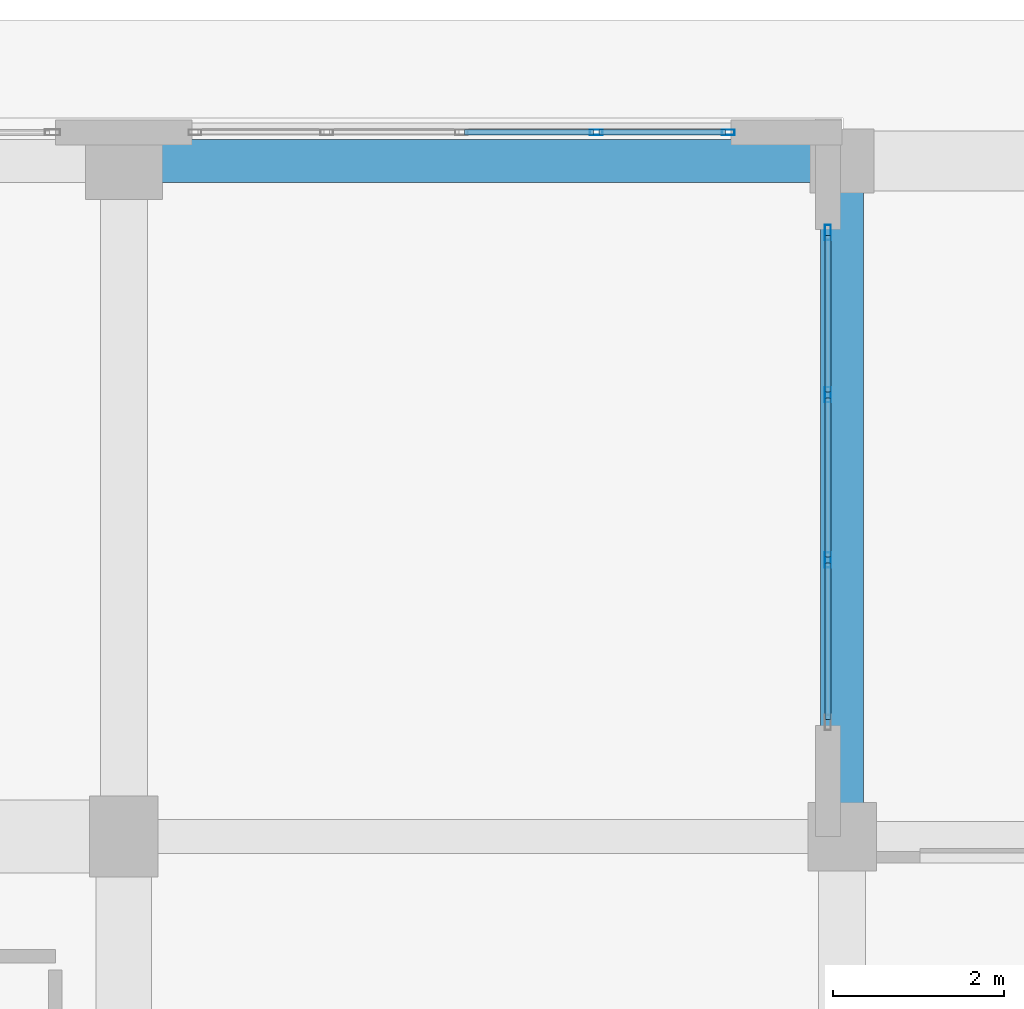
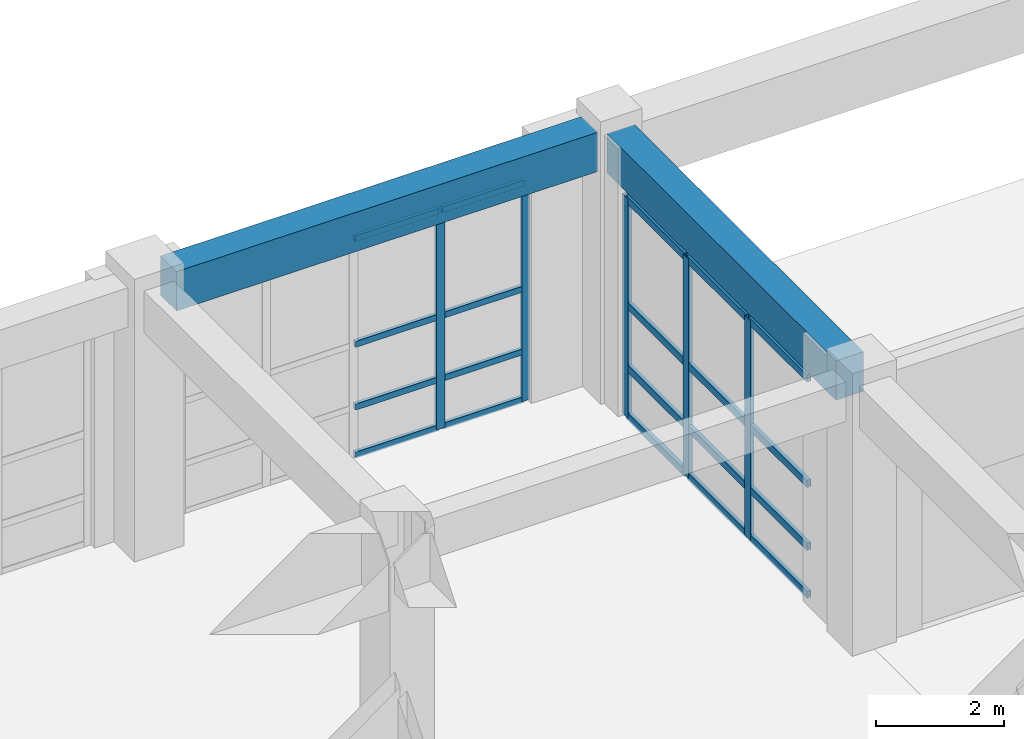
# One storey, part 87 of 148: 25 members, 2 beams, 2 elements without a shape of their own.
"""IFC4 building model written with IfcOpenShell, lengths in metres."""

from ifc_helpers import new_model, si_unit, direction, frame, origin, origin_2d, place, context, subcontext, project, spatial, rectangle, hollow_rectangle, extrude, material, layer, layer_set, material_profile, profile_set, type_object, element, aggregate, save


model = new_model("IFC4")

# Units and contexts
model_context = context("Model", 3, precision=1e-05, world=origin(), true_north=direction((0.0, 1.0)))
body_context = subcontext(model_context, "Body", "Model", "MODEL_VIEW")
ifc_project = project(units=[si_unit("LENGTHUNIT", "METRE"), si_unit("AREAUNIT", "SQUARE_METRE"), si_unit("VOLUMEUNIT", "CUBIC_METRE"), si_unit("PLANEANGLEUNIT", "RADIAN"), si_unit("MASSUNIT", "GRAM", prefix="KILO")], contexts=[model_context])

# Site, building, storey
site_placement = place(None, origin())
site = spatial("IfcSite", under=ifc_project, at=site_placement, CompositionType="ELEMENT")
building_placement = place(site_placement, origin())
building = spatial("IfcBuilding", under=site, at=building_placement, Name="Quendrovan Civic Courthouse", CompositionType="ELEMENT")
storey_placement = place(building_placement, origin())
storey = spatial("IfcBuildingStorey", under=building, at=storey_placement, Name="L01", CompositionType="ELEMENT", Elevation=0.0)

# Beams
ifc_material_1 = material(Name="Concrete C40/50", Category="concrete")
ifc_material_profile_1 = material_profile(ifc_material_1, rectangle(XDim=0.5, YDim=0.75, at=origin_2d()), Name="RC-BM-500x750")
ifc_profile_set_1 = profile_set([ifc_material_profile_1], Name="Concrete C40/50")
beam_type = type_object("IfcBeamType", Name="BM-RC750", PredefinedType="SPANDREL", material=ifc_profile_set_1)
beam_1_placement = place(storey_placement, frame((84.429931640625, 109.89990234375, 4.7451171875), z_axis=(1.0, 0.0, 0.0), x_axis=(0.0, 1.0, 0.0)))
element("IfcBeam", 1, at=beam_1_placement, inside=storey, type_object=beam_type, Name="L01 Girder X0362", PredefinedType="SPANDREL", context=body_context, shape_type="SweptSolid", body=[
    extrude(rectangle(XDim=0.5, YDim=0.75, at=origin_2d()), origin(), (0.0, 0.0, 1.0), 7.614990234375),
])
beam_2_placement = place(storey_placement, frame((92.39990234375, 102.3798828125, 4.7451171875), z_axis=(0.0, 1.0, 0.0), x_axis=(-1.0, 0.0, 0.0)))
element("IfcBeam", 2, at=beam_2_placement, inside=storey, type_object=beam_type, Name="L01 Girder Y0448", PredefinedType="SPANDREL", context=body_context, shape_type="SweptSolid", body=[
    extrude(rectangle(XDim=0.5, YDim=0.75, at=origin_2d()), origin(), (0.0, 0.0, 1.0), 7.1650390625),
])

# Curtain wall, members
ifc_material_2 = material(Name="Bronze anodised aluminium and low-E glass", Category="aluminium")
ifc_layer_1 = layer(ifc_material_2, 0.179931640625, Name="Bronze anodised aluminium and low-E glass")
ifc_layer_set_1 = layer_set([ifc_layer_1], Name="Bronze anodised aluminium and low-E glass")
curtain_wall_type_1 = type_object("IfcCurtainWallType", Name="CW-U58x42", PredefinedType="USERDEFINED", material=ifc_layer_set_1)
curtain_wall_1_placement = place(storey_placement, origin())
curtain_wall_1 = element("IfcCurtainWall", 3, at=curtain_wall_1_placement, inside=storey, type_object=curtain_wall_type_1, Name="L01 Unitised Hurricane Curtain Wall CW-032", ObjectType="UNITISED CURTAIN WALL", PredefinedType="USERDEFINED")
ifc_material_3 = material(Name="Bronze anodised aluminium", Category="aluminium")
ifc_material_profile_2 = material_profile(ifc_material_3, hollow_rectangle(XDim=0.070068359375, YDim=0.179931640625, WallThickness=0.00390625, at=origin_2d()), Name="CW-MULL-70x180")
ifc_profile_set_2 = profile_set([ifc_material_profile_2], Name="Bronze anodised aluminium")
member_type_1 = type_object("IfcMemberType", Name="CW-MULL-A", PredefinedType="MULLION", material=ifc_profile_set_2)
member_1_placement = place(storey_placement, frame((92.235107421875, 109.06494140625, 0.0), z_axis=(0.0, 0.0, 1.0), x_axis=(1.0, 0.0, 0.0)))
member_1 = element("IfcMember", 4, at=member_1_placement, type_object=member_type_1, Name="CW-032 mullion 1", PredefinedType="MULLION", context=body_context, shape_type="SweptSolid", body=[
    extrude(hollow_rectangle(XDim=0.070068359375, YDim=0.179931640625, WallThickness=0.00390625, at=origin_2d()), origin(), (0.0, 0.0, 1.0), 4.199951171875),
])
member_2_placement = place(storey_placement, frame((92.235107421875, 107.166748046875, 0.0), z_axis=(0.0, 0.0, 1.0), x_axis=(1.0, 0.0, 0.0)))
member_2 = element("IfcMember", 5, at=member_2_placement, type_object=member_type_1, Name="CW-032 mullion 2", PredefinedType="MULLION", context=body_context, shape_type="SweptSolid", body=[
    extrude(hollow_rectangle(XDim=0.070068359375, YDim=0.179931640625, WallThickness=0.00390625, at=origin_2d()), origin(), (0.0, 0.0, 1.0), 4.199951171875),
])
member_3_placement = place(storey_placement, frame((92.235107421875, 105.2333984375, 0.0), z_axis=(0.0, 0.0, 1.0), x_axis=(1.0, 0.0, 0.0)))
member_3 = element("IfcMember", 6, at=member_3_placement, type_object=member_type_1, Name="CW-032 mullion 3", PredefinedType="MULLION", context=body_context, shape_type="SweptSolid", body=[
    extrude(hollow_rectangle(XDim=0.070068359375, YDim=0.179931640625, WallThickness=0.00390625, at=origin_2d()), origin(), (0.0, 0.0, 1.0), 4.199951171875),
])

ifc_layer_2 = layer(ifc_material_2, 0.179931640625, Name="Bronze anodised aluminium and low-E glass")
ifc_layer_set_2 = layer_set([ifc_layer_2], Name="Bronze anodised aluminium and low-E glass")
curtain_wall_type_2 = type_object("IfcCurtainWallType", Name="CW-U63x42", PredefinedType="USERDEFINED", material=ifc_layer_set_2)
curtain_wall_2_placement = place(storey_placement, origin())
curtain_wall_2 = element("IfcCurtainWall", 7, at=curtain_wall_2_placement, inside=storey, type_object=curtain_wall_type_2, Name="L01 Unitised Hurricane Curtain Wall CW-031", ObjectType="UNITISED CURTAIN WALL", PredefinedType="USERDEFINED")
ifc_material_profile_3 = material_profile(ifc_material_3, hollow_rectangle(XDim=0.06494140625, YDim=0.14990234375, WallThickness=0.00390625, at=origin_2d()), Name="CW-MULL-65x150")
ifc_profile_set_3 = profile_set([ifc_material_profile_3], Name="Bronze anodised aluminium")
member_type_2 = type_object("IfcMemberType", Name="CW-MULL-B", PredefinedType="MULLION", material=ifc_profile_set_3)
member_4_placement = place(storey_placement, frame((89.52490234375, 110.235107421875, 0.0), z_axis=(0.0, 0.0, 1.0), x_axis=(0.0, 1.0, 0.0)))
member_4 = element("IfcMember", 8, at=member_4_placement, type_object=member_type_2, Name="CW-031 mullion 4", PredefinedType="MULLION", context=body_context, shape_type="SweptSolid", body=[
    extrude(hollow_rectangle(XDim=0.06494140625, YDim=0.14990234375, WallThickness=0.00390625, at=origin_2d()), origin(), (0.0, 0.0, 1.0), 4.199951171875),
])
member_5_placement = place(storey_placement, frame((91.0673828125, 110.235107421875, 0.0), z_axis=(0.0, 0.0, 1.0), x_axis=(0.0, 1.0, 0.0)))
member_5 = element("IfcMember", 9, at=member_5_placement, type_object=member_type_2, Name="CW-031 mullion 5", PredefinedType="MULLION", context=body_context, shape_type="SweptSolid", body=[
    extrude(hollow_rectangle(XDim=0.06494140625, YDim=0.14990234375, WallThickness=0.00390625, at=origin_2d()), origin(), (0.0, 0.0, 1.0), 4.199951171875),
])

# Member
ifc_material_profile_4 = material_profile(ifc_material_3, hollow_rectangle(XDim=0.070068359375, YDim=0.139892578125, WallThickness=0.00390625, at=origin_2d()), Name="CW-TRAN-70x140")
ifc_profile_set_4 = profile_set([ifc_material_profile_4], Name="Bronze anodised aluminium")
member_type_3 = type_object("IfcMemberType", Name="CW-TRAN-A", PredefinedType="USERDEFINED", material=ifc_profile_set_4)
member_6_placement = place(storey_placement, frame((92.235107421875, 109.030029296875, 0.034912109375), z_axis=(0.0, -1.0, 0.0), x_axis=(1.0, 0.0, 0.0)))
member_6 = element("IfcMember", 10, at=member_6_placement, type_object=member_type_3, Name="CW-032 transom 1.1", ObjectType="TRANSOM", PredefinedType="USERDEFINED", context=body_context, shape_type="SweptSolid", body=[
    extrude(hollow_rectangle(XDim=0.070068359375, YDim=0.139892578125, WallThickness=0.00390625, at=origin_2d()), origin(), (0.0, 0.0, 1.0), 1.828369140625),
])

member_7_placement = place(storey_placement, frame((92.235107421875, 109.030029296875, 0.949951171875), z_axis=(0.0, -1.0, 0.0), x_axis=(1.0, 0.0, 0.0)))
member_7 = element("IfcMember", 11, at=member_7_placement, type_object=member_type_3, Name="CW-032 transom 1.2", ObjectType="TRANSOM", PredefinedType="USERDEFINED", context=body_context, shape_type="SweptSolid", body=[
    extrude(hollow_rectangle(XDim=0.070068359375, YDim=0.139892578125, WallThickness=0.00390625, at=origin_2d()), origin(), (0.0, 0.0, 1.0), 1.828369140625),
])

member_8_placement = place(storey_placement, frame((92.235107421875, 109.030029296875, 2.14990234375), z_axis=(0.0, -1.0, 0.0), x_axis=(1.0, 0.0, 0.0)))
member_8 = element("IfcMember", 12, at=member_8_placement, type_object=member_type_3, Name="CW-032 transom 1.3", ObjectType="TRANSOM", PredefinedType="USERDEFINED", context=body_context, shape_type="SweptSolid", body=[
    extrude(hollow_rectangle(XDim=0.070068359375, YDim=0.139892578125, WallThickness=0.00390625, at=origin_2d()), origin(), (0.0, 0.0, 1.0), 1.828369140625),
])

member_9_placement = place(storey_placement, frame((92.235107421875, 109.030029296875, 4.1650390625), z_axis=(0.0, -1.0, 0.0), x_axis=(1.0, 0.0, 0.0)))
member_9 = element("IfcMember", 13, at=member_9_placement, type_object=member_type_3, Name="CW-032 transom 1.4", ObjectType="TRANSOM", PredefinedType="USERDEFINED", context=body_context, shape_type="SweptSolid", body=[
    extrude(hollow_rectangle(XDim=0.070068359375, YDim=0.139892578125, WallThickness=0.00390625, at=origin_2d()), origin(), (0.0, 0.0, 1.0), 1.828369140625),
])

member_10_placement = place(storey_placement, frame((92.235107421875, 107.131591796875, 0.034912109375), z_axis=(0.0, -1.0, 0.0), x_axis=(1.0, 0.0, 0.0)))
member_10 = element("IfcMember", 14, at=member_10_placement, type_object=member_type_3, Name="CW-032 transom 2.1", ObjectType="TRANSOM", PredefinedType="USERDEFINED", context=body_context, shape_type="SweptSolid", body=[
    extrude(hollow_rectangle(XDim=0.070068359375, YDim=0.139892578125, WallThickness=0.00390625, at=origin_2d()), origin(), (0.0, 0.0, 1.0), 1.86328125),
])

member_11_placement = place(storey_placement, frame((92.235107421875, 107.131591796875, 0.949951171875), z_axis=(0.0, -1.0, 0.0), x_axis=(1.0, 0.0, 0.0)))
member_11 = element("IfcMember", 15, at=member_11_placement, type_object=member_type_3, Name="CW-032 transom 2.2", ObjectType="TRANSOM", PredefinedType="USERDEFINED", context=body_context, shape_type="SweptSolid", body=[
    extrude(hollow_rectangle(XDim=0.070068359375, YDim=0.139892578125, WallThickness=0.00390625, at=origin_2d()), origin(), (0.0, 0.0, 1.0), 1.86328125),
])

member_12_placement = place(storey_placement, frame((92.235107421875, 107.131591796875, 2.14990234375), z_axis=(0.0, -1.0, 0.0), x_axis=(1.0, 0.0, 0.0)))
member_12 = element("IfcMember", 16, at=member_12_placement, type_object=member_type_3, Name="CW-032 transom 2.3", ObjectType="TRANSOM", PredefinedType="USERDEFINED", context=body_context, shape_type="SweptSolid", body=[
    extrude(hollow_rectangle(XDim=0.070068359375, YDim=0.139892578125, WallThickness=0.00390625, at=origin_2d()), origin(), (0.0, 0.0, 1.0), 1.86328125),
])

member_13_placement = place(storey_placement, frame((92.235107421875, 107.131591796875, 4.1650390625), z_axis=(0.0, -1.0, 0.0), x_axis=(1.0, 0.0, 0.0)))
member_13 = element("IfcMember", 17, at=member_13_placement, type_object=member_type_3, Name="CW-032 transom 2.4", ObjectType="TRANSOM", PredefinedType="USERDEFINED", context=body_context, shape_type="SweptSolid", body=[
    extrude(hollow_rectangle(XDim=0.070068359375, YDim=0.139892578125, WallThickness=0.00390625, at=origin_2d()), origin(), (0.0, 0.0, 1.0), 1.86328125),
])

member_14_placement = place(storey_placement, frame((92.235107421875, 105.1982421875, 0.034912109375), z_axis=(0.0, -1.0, 0.0), x_axis=(1.0, 0.0, 0.0)))
member_14 = element("IfcMember", 18, at=member_14_placement, type_object=member_type_3, Name="CW-032 transom 3.1", ObjectType="TRANSOM", PredefinedType="USERDEFINED", context=body_context, shape_type="SweptSolid", body=[
    extrude(hollow_rectangle(XDim=0.070068359375, YDim=0.139892578125, WallThickness=0.00390625, at=origin_2d()), origin(), (0.0, 0.0, 1.0), 1.828125),
])

member_15_placement = place(storey_placement, frame((92.235107421875, 105.1982421875, 0.949951171875), z_axis=(0.0, -1.0, 0.0), x_axis=(1.0, 0.0, 0.0)))
member_15 = element("IfcMember", 19, at=member_15_placement, type_object=member_type_3, Name="CW-032 transom 3.2", ObjectType="TRANSOM", PredefinedType="USERDEFINED", context=body_context, shape_type="SweptSolid", body=[
    extrude(hollow_rectangle(XDim=0.070068359375, YDim=0.139892578125, WallThickness=0.00390625, at=origin_2d()), origin(), (0.0, 0.0, 1.0), 1.828125),
])

member_16_placement = place(storey_placement, frame((92.235107421875, 105.1982421875, 2.14990234375), z_axis=(0.0, -1.0, 0.0), x_axis=(1.0, 0.0, 0.0)))
member_16 = element("IfcMember", 20, at=member_16_placement, type_object=member_type_3, Name="CW-032 transom 3.3", ObjectType="TRANSOM", PredefinedType="USERDEFINED", context=body_context, shape_type="SweptSolid", body=[
    extrude(hollow_rectangle(XDim=0.070068359375, YDim=0.139892578125, WallThickness=0.00390625, at=origin_2d()), origin(), (0.0, 0.0, 1.0), 1.828125),
])

member_17_placement = place(storey_placement, frame((92.235107421875, 105.1982421875, 4.1650390625), z_axis=(0.0, -1.0, 0.0), x_axis=(1.0, 0.0, 0.0)))
member_17 = element("IfcMember", 21, at=member_17_placement, type_object=member_type_3, Name="CW-032 transom 3.4", ObjectType="TRANSOM", PredefinedType="USERDEFINED", context=body_context, shape_type="SweptSolid", body=[
    extrude(hollow_rectangle(XDim=0.070068359375, YDim=0.139892578125, WallThickness=0.00390625, at=origin_2d()), origin(), (0.0, 0.0, 1.0), 1.828125),
])

aggregate(curtain_wall_1, [member_1, member_2, member_3, member_6, member_7, member_8, member_9, member_10, member_11, member_12, member_13, member_14, member_15, member_16, member_17])

ifc_material_profile_5 = material_profile(ifc_material_3, hollow_rectangle(XDim=0.06494140625, YDim=0.114990234375, WallThickness=0.00390625, at=origin_2d()), Name="CW-TRAN-65x115")
ifc_profile_set_5 = profile_set([ifc_material_profile_5], Name="Bronze anodised aluminium")
member_type_4 = type_object("IfcMemberType", Name="CW-TRAN-B", PredefinedType="USERDEFINED", material=ifc_profile_set_5)
member_18_placement = place(storey_placement, frame((87.982421875, 110.235107421875, 0.032470703125), z_axis=(1.0, 0.0, 0.0), x_axis=(0.0, 1.0, 0.0)))
member_18 = element("IfcMember", 22, at=member_18_placement, type_object=member_type_4, Name="CW-031 transom 3.1", ObjectType="TRANSOM", PredefinedType="USERDEFINED", context=body_context, shape_type="SweptSolid", body=[
    extrude(hollow_rectangle(XDim=0.06494140625, YDim=0.114990234375, WallThickness=0.00390625, at=origin_2d()), origin(), (0.0, 0.0, 1.0), 1.510009765625),
])

member_19_placement = place(storey_placement, frame((87.982421875, 110.235107421875, 0.949951171875), z_axis=(1.0, 0.0, 0.0), x_axis=(0.0, 1.0, 0.0)))
member_19 = element("IfcMember", 23, at=member_19_placement, type_object=member_type_4, Name="CW-031 transom 3.2", ObjectType="TRANSOM", PredefinedType="USERDEFINED", context=body_context, shape_type="SweptSolid", body=[
    extrude(hollow_rectangle(XDim=0.06494140625, YDim=0.114990234375, WallThickness=0.00390625, at=origin_2d()), origin(), (0.0, 0.0, 1.0), 1.510009765625),
])

member_20_placement = place(storey_placement, frame((87.982421875, 110.235107421875, 2.14990234375), z_axis=(1.0, 0.0, 0.0), x_axis=(0.0, 1.0, 0.0)))
member_20 = element("IfcMember", 24, at=member_20_placement, type_object=member_type_4, Name="CW-031 transom 3.3", ObjectType="TRANSOM", PredefinedType="USERDEFINED", context=body_context, shape_type="SweptSolid", body=[
    extrude(hollow_rectangle(XDim=0.06494140625, YDim=0.114990234375, WallThickness=0.00390625, at=origin_2d()), origin(), (0.0, 0.0, 1.0), 1.510009765625),
])

member_21_placement = place(storey_placement, frame((87.982421875, 110.235107421875, 4.16748046875), z_axis=(1.0, 0.0, 0.0), x_axis=(0.0, 1.0, 0.0)))
member_21 = element("IfcMember", 25, at=member_21_placement, type_object=member_type_4, Name="CW-031 transom 3.4", ObjectType="TRANSOM", PredefinedType="USERDEFINED", context=body_context, shape_type="SweptSolid", body=[
    extrude(hollow_rectangle(XDim=0.06494140625, YDim=0.114990234375, WallThickness=0.00390625, at=origin_2d()), origin(), (0.0, 0.0, 1.0), 1.510009765625),
])

member_22_placement = place(storey_placement, frame((89.5576171875, 110.235107421875, 0.032470703125), z_axis=(1.0, 0.0, 0.0), x_axis=(0.0, 1.0, 0.0)))
member_22 = element("IfcMember", 26, at=member_22_placement, type_object=member_type_4, Name="CW-031 transom 4.1", ObjectType="TRANSOM", PredefinedType="USERDEFINED", context=body_context, shape_type="SweptSolid", body=[
    extrude(hollow_rectangle(XDim=0.06494140625, YDim=0.114990234375, WallThickness=0.00390625, at=origin_2d()), origin(), (0.0, 0.0, 1.0), 1.477294921875),
])

member_23_placement = place(storey_placement, frame((89.5576171875, 110.235107421875, 0.949951171875), z_axis=(1.0, 0.0, 0.0), x_axis=(0.0, 1.0, 0.0)))
member_23 = element("IfcMember", 27, at=member_23_placement, type_object=member_type_4, Name="CW-031 transom 4.2", ObjectType="TRANSOM", PredefinedType="USERDEFINED", context=body_context, shape_type="SweptSolid", body=[
    extrude(hollow_rectangle(XDim=0.06494140625, YDim=0.114990234375, WallThickness=0.00390625, at=origin_2d()), origin(), (0.0, 0.0, 1.0), 1.477294921875),
])

member_24_placement = place(storey_placement, frame((89.5576171875, 110.235107421875, 2.14990234375), z_axis=(1.0, 0.0, 0.0), x_axis=(0.0, 1.0, 0.0)))
member_24 = element("IfcMember", 28, at=member_24_placement, type_object=member_type_4, Name="CW-031 transom 4.3", ObjectType="TRANSOM", PredefinedType="USERDEFINED", context=body_context, shape_type="SweptSolid", body=[
    extrude(hollow_rectangle(XDim=0.06494140625, YDim=0.114990234375, WallThickness=0.00390625, at=origin_2d()), origin(), (0.0, 0.0, 1.0), 1.477294921875),
])

member_25_placement = place(storey_placement, frame((89.5576171875, 110.235107421875, 4.16748046875), z_axis=(1.0, 0.0, 0.0), x_axis=(0.0, 1.0, 0.0)))
member_25 = element("IfcMember", 29, at=member_25_placement, type_object=member_type_4, Name="CW-031 transom 4.4", ObjectType="TRANSOM", PredefinedType="USERDEFINED", context=body_context, shape_type="SweptSolid", body=[
    extrude(hollow_rectangle(XDim=0.06494140625, YDim=0.114990234375, WallThickness=0.00390625, at=origin_2d()), origin(), (0.0, 0.0, 1.0), 1.477294921875),
])

aggregate(curtain_wall_2, [member_4, member_5, member_18, member_19, member_20, member_21, member_22, member_23, member_24, member_25])

save(model, "model.ifc")
